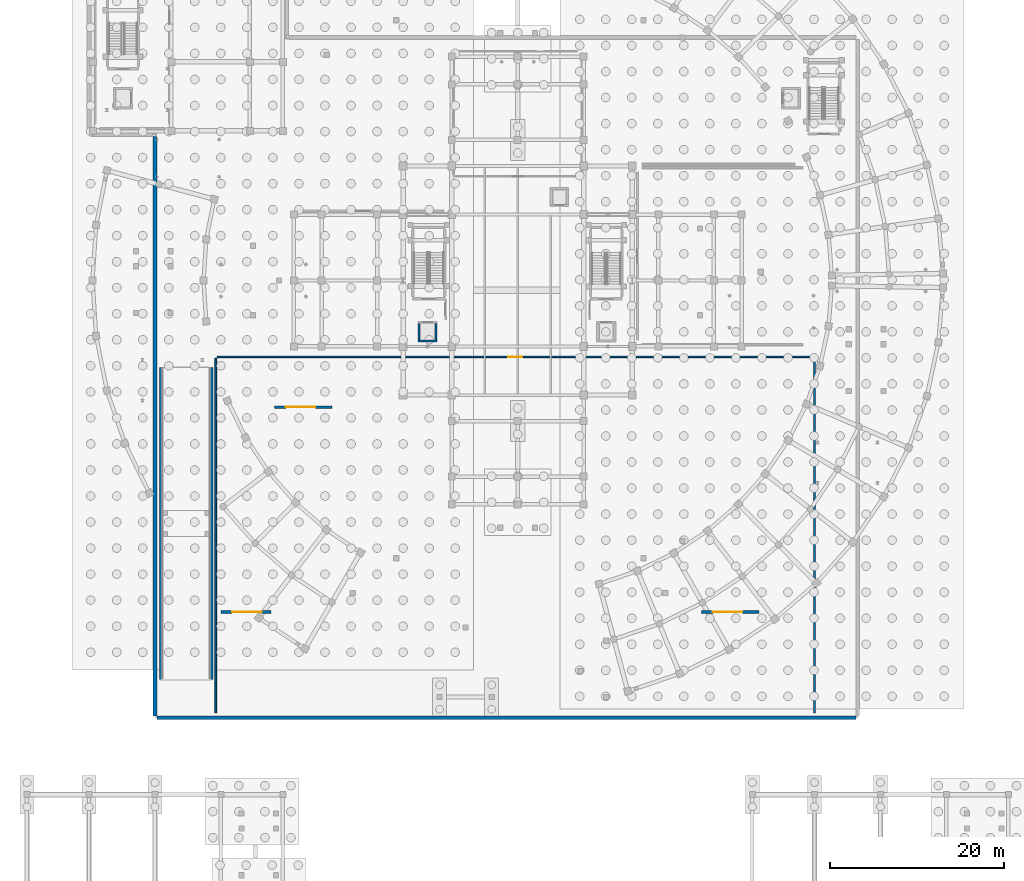
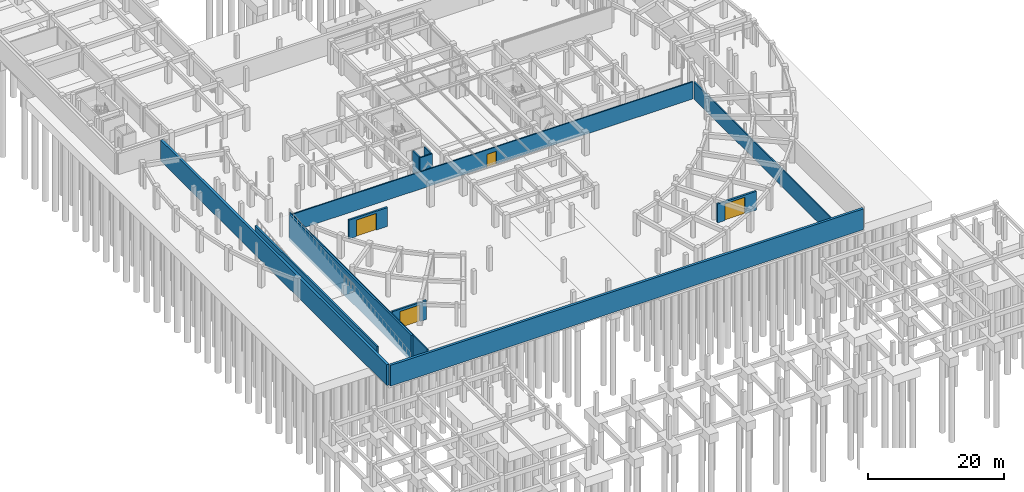
# One storey, part 24 of 33: 13 walls, 4 doors, 4 openings.
"""IFC4 building model written with IfcOpenShell, lengths in metres."""

from ifc_helpers import new_model, si_unit, direction, frame, frame_2d, origin, place, context, subcontext, project, spatial, rectangle, extrude, material, layer, layer_set, type_object, element, fill, save


model = new_model("IFC4")

# Units and contexts
model_context = context("Model", 3, precision=1e-05, world=origin(), true_north=direction((0.0, 1.0)))
body_context = subcontext(model_context, "Body", "Model", "MODEL_VIEW")
ifc_project = project(units=[si_unit("LENGTHUNIT", "METRE"), si_unit("AREAUNIT", "SQUARE_METRE"), si_unit("VOLUMEUNIT", "CUBIC_METRE"), si_unit("PLANEANGLEUNIT", "RADIAN"), si_unit("MASSUNIT", "GRAM", prefix="KILO")], contexts=[model_context])

# Site, building, storey
site_placement = place(None, origin())
site = spatial("IfcSite", under=ifc_project, at=site_placement, CompositionType="ELEMENT")
building_placement = place(site_placement, origin())
building = spatial("IfcBuilding", under=site, at=building_placement, Name="Saryqyr Civic Hall", CompositionType="ELEMENT")
storey_placement = place(building_placement, frame((0.0, 0.0, -4.199951171875)))
storey = spatial("IfcBuildingStorey", under=building, at=storey_placement, Name="B1", CompositionType="ELEMENT", Elevation=-4.199951171875)

# Walls
ifc_material_1 = material(Name="Concrete C35/45", Category="concrete")
ifc_layer_1 = layer(ifc_material_1, 0.419921875, Name="Concrete C35/45")
ifc_layer_set_1 = layer_set([ifc_layer_1], Name="Concrete C35/45")
wall_type_1 = type_object("IfcWallType", Name="ENV-WAL-RET-420", PredefinedType="USERDEFINED", material=ifc_layer_set_1)
wall_1_placement = place(storey_placement, frame((95.97998046875, 33.60009765625, 0.0), z_axis=(0.0, 0.0, 1.0), x_axis=(-1.0, 0.0, 0.0)))
element("IfcWall", 1, at=wall_1_placement, inside=storey, type_object=wall_type_1, Name="Basement perimeter retaining wall 1", ObjectType="RETAINING", PredefinedType="USERDEFINED", context=body_context, shape_type="SweptSolid", body=[
    extrude(rectangle(XDim=80.56005859375, YDim=0.419921875, at=frame_2d((40.280029296875, 0.0))), origin(), (0.0, 0.0, 1.0), 3.75),
])
wall_2_placement = place(storey_placement, frame((15.199951171875, 33.820068359375, 0.0), z_axis=(0.0, 0.0, 1.0), x_axis=(0.0, 1.0, 0.0)))
element("IfcWall", 2, at=wall_2_placement, inside=storey, type_object=wall_type_1, Name="Basement perimeter retaining wall 8", ObjectType="RETAINING", PredefinedType="USERDEFINED", context=body_context, shape_type="SweptSolid", body=[
    extrude(rectangle(XDim=66.760009765625, YDim=0.419921875, at=frame_2d((33.3798828125, 0.0))), origin(), (0.0, 0.0, 1.0), 3.75),
])

# Wall, opening, door
ifc_layer_2 = layer(ifc_material_1, 0.31005859375, Name="Concrete C35/45")
ifc_layer_set_2 = layer_set([ifc_layer_2], Name="Concrete C35/45")
wall_type_2 = type_object("IfcWallType", Name="ENV-WAL-SRV-310", PredefinedType="STANDARD", material=ifc_layer_set_2)
wall_3_placement = place(storey_placement, frame((22.800048828125, 45.800048828125, 0.0), z_axis=(0.0, 0.0, 1.0), x_axis=(1.0, 0.0, 0.0)))
wall_3 = element("IfcWall", 3, at=wall_3_placement, inside=storey, type_object=wall_type_2, Name="Service bay portal wall VG-03", PredefinedType="STANDARD", context=body_context, shape_type="SweptSolid", body=[
    extrude(rectangle(XDim=5.800048828125, YDim=0.31005859375, at=frame_2d((2.89990234375, 0.0))), origin(), (0.0, 0.0, 1.0), 3.39990234375),
])
opening_1_placement = place(wall_3_placement, frame((1.300048828125, 0.0, 0.0)))
opening_1 = element("IfcOpeningElement", 4, at=opening_1_placement, cuts=wall_3, Name="Opening VG-B", PredefinedType="OPENING", context=body_context, shape_type="SweptSolid", body=[
    extrude(rectangle(XDim=3.39990234375, YDim=3.0, at=frame_2d((1.699951171875, 1.5))), frame((0.0, 0.1650390625, 0.0), z_axis=(0.0, -1.0, 0.0), x_axis=(1.0, 0.0, 0.0)), (0.0, 0.0, 1.0), 0.330078125),
])
ifc_material_2 = material(Name="Thermally broken painted galvanized steel", Category="steel")
door_type_1 = type_object("IfcDoorType", Name="ENV-GT-SRV-3400x3000", OperationType="NOTDEFINED", PredefinedType="GATE", material=ifc_material_2)
door_1_placement = place(opening_1_placement, origin())
door_1 = element("IfcDoor", 5, at=door_1_placement, inside=storey, type_object=door_type_1, Name="Service bay roller-shutter gate VG-03", OperationType="ROLLINGUP", OverallHeight=3.0, OverallWidth=3.39990234375, PredefinedType="GATE", context=body_context, shape_type="SweptSolid", body=[
    extrude(rectangle(XDim=3.39990234375, YDim=3.0, at=frame_2d((1.699951171875, 1.5))), frame((0.0, 0.02490234375, 0.0), z_axis=(0.0, -1.0, 0.0), x_axis=(1.0, 0.0, 0.0)), (0.0, 0.0, 1.0), 0.050048828125),
])
fill(opening_1, door_1)

wall_4_placement = place(storey_placement, frame((78.199951171875, 45.800048828125, 0.0), z_axis=(0.0, 0.0, 1.0), x_axis=(1.0, 0.0, 0.0)))
wall_4 = element("IfcWall", 6, at=wall_4_placement, inside=storey, type_object=wall_type_2, Name="Service bay portal wall VG-04", PredefinedType="STANDARD", context=body_context, shape_type="SweptSolid", body=[
    extrude(rectangle(XDim=6.60009765625, YDim=0.31005859375, at=frame_2d((3.300048828125, 0.0))), origin(), (0.0, 0.0, 1.0), 3.39990234375),
])
opening_2_placement = place(wall_4_placement, frame((1.300048828125, 0.0, 0.0)))
opening_2 = element("IfcOpeningElement", 7, at=opening_2_placement, cuts=wall_4, Name="Opening VG-B", PredefinedType="OPENING", context=body_context, shape_type="SweptSolid", body=[
    extrude(rectangle(XDim=3.39990234375, YDim=3.0, at=frame_2d((1.699951171875, 1.5))), frame((0.0, 0.1650390625, 0.0), z_axis=(0.0, -1.0, 0.0), x_axis=(1.0, 0.0, 0.0)), (0.0, 0.0, 1.0), 0.330078125),
])
door_2_placement = place(opening_2_placement, origin())
door_2 = element("IfcDoor", 8, at=door_2_placement, inside=storey, type_object=door_type_1, Name="Service bay roller-shutter gate VG-04", OperationType="ROLLINGUP", OverallHeight=3.0, OverallWidth=3.39990234375, PredefinedType="GATE", context=body_context, shape_type="SweptSolid", body=[
    extrude(rectangle(XDim=3.39990234375, YDim=3.0, at=frame_2d((1.699951171875, 1.5))), frame((0.0, 0.02490234375, 0.0), z_axis=(0.0, -1.0, 0.0), x_axis=(1.0, 0.0, 0.0)), (0.0, 0.0, 1.0), 0.050048828125),
])
fill(opening_2, door_2)

wall_5_placement = place(storey_placement, frame((29.0, 69.39990234375, 0.0), z_axis=(0.0, 0.0, 1.0), x_axis=(1.0, 0.0, 0.0)))
wall_5 = element("IfcWall", 9, at=wall_5_placement, inside=storey, type_object=wall_type_2, Name="Service bay portal wall VG-05", PredefinedType="STANDARD", context=body_context, shape_type="SweptSolid", body=[
    extrude(rectangle(XDim=6.60009765625, YDim=0.31005859375, at=frame_2d((3.300048828125, 0.0))), origin(), (0.0, 0.0, 1.0), 3.39990234375),
])
opening_3_placement = place(wall_5_placement, frame((1.300048828125, 0.0, 0.0)))
opening_3 = element("IfcOpeningElement", 10, at=opening_3_placement, cuts=wall_5, Name="Opening VG-B", PredefinedType="OPENING", context=body_context, shape_type="SweptSolid", body=[
    extrude(rectangle(XDim=3.39990234375, YDim=3.0, at=frame_2d((1.699951171875, 1.5))), frame((0.0, 0.1650390625, 0.0), z_axis=(0.0, -1.0, 0.0), x_axis=(1.0, 0.0, 0.0)), (0.0, 0.0, 1.0), 0.330078125),
])
door_3_placement = place(opening_3_placement, origin())
door_3 = element("IfcDoor", 11, at=door_3_placement, inside=storey, type_object=door_type_1, Name="Service bay roller-shutter gate VG-05", OperationType="ROLLINGUP", OverallHeight=3.0, OverallWidth=3.39990234375, PredefinedType="GATE", context=body_context, shape_type="SweptSolid", body=[
    extrude(rectangle(XDim=3.39990234375, YDim=3.0, at=frame_2d((1.699951171875, 1.5))), frame((0.0, 0.02490234375, 0.0), z_axis=(0.0, -1.0, 0.0), x_axis=(1.0, 0.0, 0.0)), (0.0, 0.0, 1.0), 0.050048828125),
])
fill(opening_3, door_3)

ifc_material_3 = material(Name="Autoclaved aerated concrete blockwork", Category="masonry")
ifc_layer_3 = layer(ifc_material_3, 0.199951171875, Name="Autoclaved aerated concrete blockwork")
ifc_layer_set_3 = layer_set([ifc_layer_3], Name="Autoclaved aerated concrete blockwork")
wall_type_3 = type_object("IfcWallType", Name="INT-WAL-FIR-200", PredefinedType="PARTITIONING", material=ifc_layer_set_3)
wall_6_placement = place(storey_placement, frame((22.3798828125, 75.199951171875, 0.0), z_axis=(0.0, 0.0, 1.0), x_axis=(1.0, 0.0, 0.0)))
wall_6 = element("IfcWall", 12, at=wall_6_placement, inside=storey, type_object=wall_type_3, Name="Interior partition PRT-SP-B1-CARPARK-W1", PredefinedType="PARTITIONING", context=body_context, shape_type="SweptSolid", body=[
    extrude(rectangle(XDim=68.64013671875, YDim=0.199951171875, at=frame_2d((34.320068359375, 0.0))), origin(), (0.0, 0.0, 1.0), 3.10498046875),
])
opening_4_placement = place(wall_6_placement, frame((33.52001953125, 0.0, 0.0)))
opening_4 = element("IfcOpeningElement", 13, at=opening_4_placement, cuts=wall_6, Name="Opening FD-02", PredefinedType="OPENING", context=body_context, shape_type="SweptSolid", body=[
    extrude(rectangle(XDim=1.60009765625, YDim=2.300048828125, at=frame_2d((0.800048828125, 1.14990234375))), frame((0.0, 0.10986328125, 0.0), z_axis=(0.0, -1.0, 0.0), x_axis=(1.0, 0.0, 0.0)), (0.0, 0.0, 1.0), 0.219970703125),
])
ifc_material_4 = material(Name="Painted galvanized steel", Category="steel")
door_type_2 = type_object("IfcDoorType", Name="INT-DR-PLANT-1600x2300", OperationType="NOTDEFINED", PredefinedType="DOOR", material=ifc_material_4)
door_4_placement = place(opening_4_placement, origin())
door_4 = element("IfcDoor", 14, at=door_4_placement, inside=storey, type_object=door_type_2, Name="Interior door Underground Car Park (36 Standard and 8 Accessible MGN Bays)", OperationType="DOUBLE_DOOR_SINGLE_SWING", OverallHeight=2.300048828125, OverallWidth=1.60009765625, PredefinedType="DOOR", context=body_context, shape_type="SweptSolid", body=[
    extrude(rectangle(XDim=1.60009765625, YDim=2.300048828125, at=frame_2d((0.800048828125, 1.14990234375))), frame((0.0, 0.02490234375, 0.0), z_axis=(0.0, -1.0, 0.0), x_axis=(1.0, 0.0, 0.0)), (0.0, 0.0, 1.0), 0.050048828125),
])
fill(opening_4, door_4)

# Walls
wall_7_placement = place(storey_placement, frame((22.199951171875, 34.179931640625, 0.0), z_axis=(0.0, 0.0, 1.0), x_axis=(0.0, 1.0, 0.0)))
element("IfcWall", 15, at=wall_7_placement, inside=storey, type_object=wall_type_3, Name="Interior partition PRT-SP-B1-CARPARK-W2", PredefinedType="PARTITIONING", context=body_context, shape_type="SweptSolid", body=[
    extrude(rectangle(XDim=40.840087890625, YDim=0.199951171875, at=frame_2d((20.419921875, 0.0))), origin(), (0.0, 0.0, 1.0), 3.7900390625),
])
wall_8_placement = place(storey_placement, frame((91.199951171875, 75.02001953125, 0.0), z_axis=(0.0, 0.0, 1.0), x_axis=(0.0, -1.0, 0.0)))
element("IfcWall", 16, at=wall_8_placement, inside=storey, type_object=wall_type_3, Name="Interior partition PRT-SP-B1-CARPARK-W3", PredefinedType="PARTITIONING", context=body_context, shape_type="SweptSolid", body=[
    extrude(rectangle(XDim=40.840087890625, YDim=0.199951171875, at=frame_2d((20.419921875, 0.0))), origin(), (0.0, 0.0, 1.0), 3.10498046875),
])
ifc_material_5 = material(Name="Concrete C40/50", Category="concrete")
ifc_layer_4 = layer(ifc_material_5, 0.239990234375, Name="Concrete C40/50")
ifc_layer_set_4 = layer_set([ifc_layer_4], Name="Concrete C40/50")
wall_type_4 = type_object("IfcWallType", Name="INT-WAL-SHR-240", PredefinedType="SHEAR", material=ifc_layer_set_4)
wall_9_placement = place(storey_placement, frame((47.699951171875, 77.02001953125, 0.0), z_axis=(0.0, 0.0, 1.0), x_axis=(-1.0, 0.0, 0.0)))
element("IfcWall", 17, at=wall_9_placement, inside=storey, type_object=wall_type_4, Name="Lift shaft shear wall LF-01-SHW-S-B1", PredefinedType="SHEAR", context=body_context, shape_type="SweptSolid", body=[
    extrude(rectangle(XDim=2.199951171875, YDim=0.239990234375, at=frame_2d((1.10009765625, 0.0))), origin(), (0.0, 0.0, 1.0), 4.199951171875),
])
for number, where, z_axis, x_axis, name in (
    (18, (47.580078125, 79.06005859375, 0.0), (0.0, 0.0, 1.0), (0.0, -1.0, 0.0), "Lift shaft shear wall LF-01-SHW-E-B1"),
    (19, (45.6201171875, 77.139892578125, 0.0), (0.0, 0.0, 1.0), (0.0, 1.0, 0.0), "Lift shaft shear wall LF-01-SHW-W-B1"),
):
    element("IfcWall", number, at=place(storey_placement, frame(where, z_axis=z_axis, x_axis=x_axis)), inside=storey, type_object=wall_type_4, Name=name, PredefinedType="SHEAR", context=body_context, shape_type="SweptSolid", body=[
        extrude(rectangle(XDim=1.920166015625, YDim=0.239990234375, at=frame_2d((0.9599609375, 0.0))), origin(), (0.0, 0.0, 1.0), 4.199951171875),
    ])
ifc_layer_5 = layer(ifc_material_1, 0.300048828125, Name="Concrete C35/45")
ifc_layer_set_5 = layer_set([ifc_layer_5], Name="Concrete C35/45")
wall_type_5 = type_object("IfcWallType", Name="STR-WAL-RMP-300", PredefinedType="SHEAR", material=ifc_layer_set_5)
for number, where, z_axis, x_axis, name in (
    (20, (15.8798828125, 74.0, -0.550048828125), (0.0, 0.0, 1.0), (0.0, -1.0, 0.0), "Car park ramp west shear wall"),
    (21, (21.719970703125, 38.0, -0.550048828125), (0.0, 0.0, 1.0), (0.0, 1.0, 0.0), "Car park ramp east shear wall"),
):
    element("IfcWall", number, at=place(storey_placement, frame(where, z_axis=z_axis, x_axis=x_axis)), inside=storey, type_object=wall_type_5, Name=name, PredefinedType="SHEAR", context=body_context, shape_type="SweptSolid", body=[
        extrude(rectangle(XDim=36.0, YDim=0.300048828125, at=frame_2d((18.0, 0.0))), origin(), (0.0, 0.0, 1.0), 4.75),
    ])

save(model, "model.ifc")
